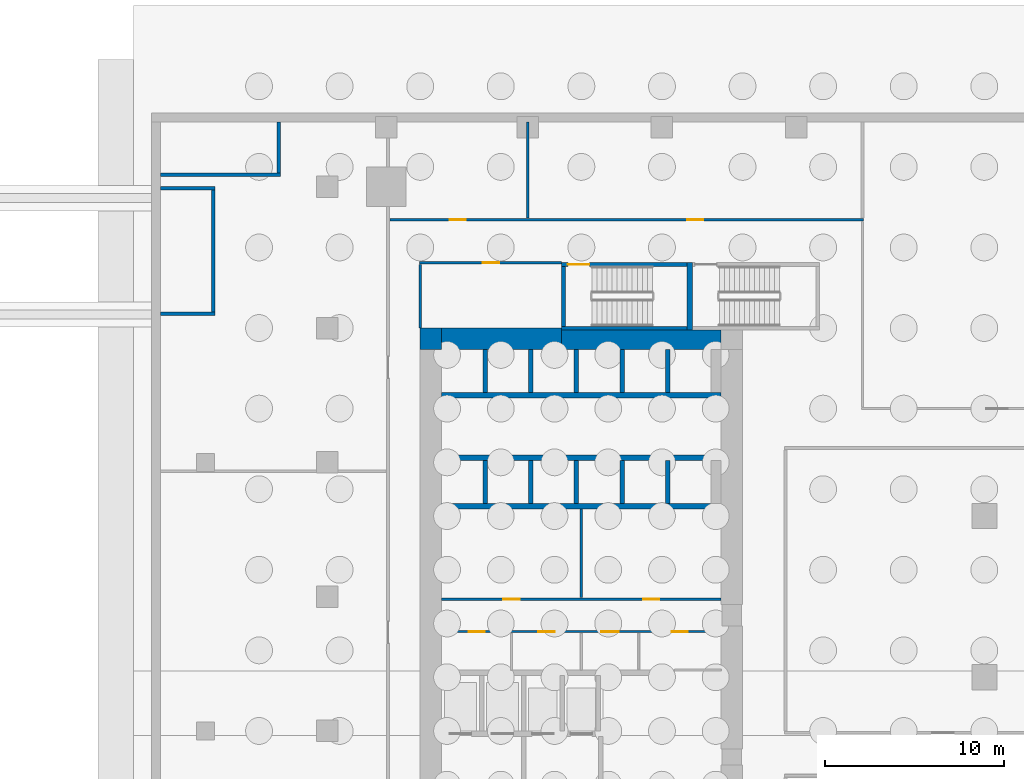
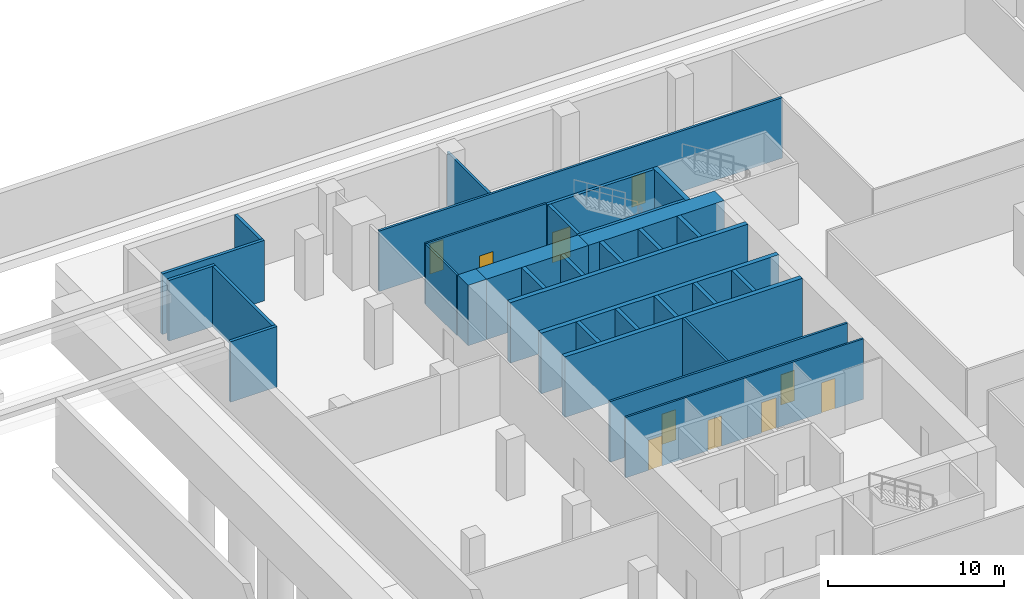
# One storey, part 4 of 10: 32 walls, 10 doors, 10 openings.
"""IFC4 building model written with IfcOpenShell, lengths in metres."""

from ifc_helpers import new_model, si_unit, direction, frame, frame_2d, origin, place, context, subcontext, project, spatial, rectangle, extrude, source, transform, mapped, material, layer, layer_set, type_object, element, fill, save


model = new_model("IFC4")

# Units and contexts
model_context = context("Model", 3, precision=1e-05, world=origin(), true_north=direction((0.0, 1.0)))
body_context = subcontext(model_context, "Body", "Model", "MODEL_VIEW")
ifc_project = project(units=[si_unit("LENGTHUNIT", "METRE"), si_unit("AREAUNIT", "SQUARE_METRE"), si_unit("VOLUMEUNIT", "CUBIC_METRE"), si_unit("PLANEANGLEUNIT", "RADIAN"), si_unit("MASSUNIT", "GRAM", prefix="KILO")], contexts=[model_context])

# Site, building, storey
site_placement = place(None, origin())
site = spatial("IfcSite", under=ifc_project, at=site_placement, CompositionType="ELEMENT")
building_placement = place(site_placement, origin())
building = spatial("IfcBuilding", under=site, at=building_placement, Name="Khomas Fold Tower", CompositionType="ELEMENT")
storey_placement = place(building_placement, frame((0.0, 0.0, -9.0)))
storey = spatial("IfcBuildingStorey", under=building, at=storey_placement, Name="B2", CompositionType="ELEMENT", Elevation=-9.0)

# Walls
ifc_material_1 = material(Name="Concrete C70/85", Category="concrete")
ifc_layer_1 = layer(ifc_material_1, 1.199951171875)
ifc_layer_set_1 = layer_set([ifc_layer_1], Name="Concrete C70/85")
wall_type_1 = type_object("IfcWallType", Name="Core wall 1200", PredefinedType="SHEAR", material=ifc_layer_set_1)
shared_shape_1 = source(origin(), body_context, "Body", "SweptSolid", [
    extrude(rectangle(XDim=6.699951171875, YDim=1.199951171875, at=frame_2d((3.35009765625, 0.0))), origin(), (0.0, 0.0, 1.0), 4.199951171875),
])
wall_1_placement = place(storey_placement, frame((7.199951171875, 41.39990234375, 0.0), z_axis=(0.0, 0.0, 1.0), x_axis=(1.0, 0.0, 0.0)))
element("IfcWall", 1, at=wall_1_placement, inside=storey, type_object=wall_type_1, Name="Core wall CW-L-N-B2", PredefinedType="SHEAR", context=body_context, shape_type="MappedRepresentation", body=[
    mapped(shared_shape_1, transform((0.0, 0.0, 0.0))),
])
ifc_material_2 = material(Name="Concrete C70/85", Category="concrete")
ifc_layer_2 = layer(ifc_material_2, 1.10009765625)
ifc_layer_set_2 = layer_set([ifc_layer_2], Name="Concrete C70/85")
wall_type_2 = type_object("IfcWallType", Name="Core wall 1100", PredefinedType="SHEAR", material=ifc_layer_set_2)
shared_shape_2 = source(origin(), body_context, "Body", "SweptSolid", [
    extrude(rectangle(XDim=8.900146484375, YDim=1.10009765625, at=frame_2d((4.4501953125, 0.0))), origin(), (0.0, 0.0, 1.0), 4.199951171875),
])
wall_2_placement = place(storey_placement, frame((13.89990234375, 41.35009765625, 0.0), z_axis=(0.0, 0.0, 1.0), x_axis=(1.0, 0.0, 0.0)))
element("IfcWall", 2, at=wall_2_placement, inside=storey, type_object=wall_type_2, Name="Core wall CW-L-N-B2-1", PredefinedType="SHEAR", context=body_context, shape_type="MappedRepresentation", body=[
    mapped(shared_shape_2, transform((0.0, 0.0, 0.0))),
])
ifc_material_3 = material(Name="Concrete C70/85", Category="concrete")
ifc_layer_3 = layer(ifc_material_3, 1.199951171875)
ifc_layer_set_3 = layer_set([ifc_layer_3], Name="Concrete C70/85")
wall_type_3 = type_object("IfcWallType", Name="Core corner wall 1200", PredefinedType="SHEAR", material=ifc_layer_set_3)
shared_shape_3 = source(origin(), body_context, "Body", "SweptSolid", [
    extrude(rectangle(XDim=1.199951171875, YDim=1.199951171875, at=frame_2d((0.60009765625, 0.0))), origin(), (0.0, 0.0, 1.0), 4.199951171875),
])
wall_3_placement = place(storey_placement, frame((6.0, 41.39990234375, 0.0), z_axis=(0.0, 0.0, 1.0), x_axis=(1.0, 0.0, 0.0)))
element("IfcWall", 3, at=wall_3_placement, inside=storey, type_object=wall_type_3, Name="Core wall CW-L-NW-B2", PredefinedType="SHEAR", context=body_context, shape_type="MappedRepresentation", body=[
    mapped(shared_shape_3, transform((0.0, 0.0, 0.0))),
])

# Wall, opening, door
ifc_material_4 = material(Name="Concrete C50/60", Category="concrete")
ifc_layer_4 = layer(ifc_material_4, 0.199951171875)
ifc_layer_set_4 = layer_set([ifc_layer_4], Name="Concrete C50/60")
wall_type_4 = type_object("IfcWallType", Name="Stair wall 200", PredefinedType="SHEAR", material=ifc_layer_set_4)
shared_shape_4 = source(origin(), body_context, "Body", "SweptSolid", [
    extrude(rectangle(XDim=7.0, YDim=0.199951171875, at=frame_2d((3.5, 0.0))), origin(), (0.0, 0.0, 1.0), 4.199951171875),
])
wall_4_placement = place(storey_placement, frame((13.89990234375, 45.550048828125, 0.0), z_axis=(0.0, 0.0, 1.0), x_axis=(1.0, 0.0, 0.0)))
wall_4 = element("IfcWall", 4, at=wall_4_placement, inside=storey, type_object=wall_type_4, Name="Stair wall SW-ST1-N", PredefinedType="SHEAR", context=body_context, shape_type="MappedRepresentation", body=[
    mapped(shared_shape_4, transform((0.0, 0.0, 0.0))),
])
shared_shape_5 = source(origin(), body_context, "Body", "SweptSolid", [
    extrude(rectangle(XDim=1.199951171875, YDim=2.10009765625, at=frame_2d((0.60009765625, 1.050048828125))), frame((0.0, 0.10986328125, 0.0), z_axis=(0.0, -1.0, 0.0), x_axis=(1.0, 0.0, 0.0)), (0.0, 0.0, 1.0), 0.219970703125),
])
opening_1_placement = place(wall_4_placement, frame((0.35009765625, 0.0, 0.0)))
opening_1 = element("IfcOpeningElement", 5, at=opening_1_placement, cuts=wall_4, Name="Opening SD-ST1", PredefinedType="OPENING", context=body_context, shape_type="MappedRepresentation", body=[
    mapped(shared_shape_5, transform((0.0, 0.0, 0.0))),
])
ifc_material_5 = material(Name="Steel door leaf", Category="steel")
door_type_1 = type_object("IfcDoorType", Name="Stair door 1200x2100 left-hand", OperationType="SINGLE_SWING_LEFT", PredefinedType="DOOR", material=ifc_material_5)
shared_shape_6 = source(origin(), body_context, "Body", "SweptSolid", [
    extrude(rectangle(XDim=1.199951171875, YDim=2.10009765625, at=frame_2d((0.60009765625, 1.050048828125))), frame((0.0, 0.02490234375, 0.0), z_axis=(0.0, -1.0, 0.0), x_axis=(1.0, 0.0, 0.0)), (0.0, 0.0, 1.0), 0.050048828125),
])
door_1_placement = place(opening_1_placement, origin())
door_1 = element("IfcDoor", 6, at=door_1_placement, inside=storey, type_object=door_type_1, Name="Stair door", OperationType="SINGLE_SWING_LEFT", OverallHeight=2.10009765625, OverallWidth=1.199951171875, PredefinedType="DOOR", context=body_context, shape_type="MappedRepresentation", body=[
    mapped(shared_shape_6, transform((0.0, 0.0, 0.0))),
])
fill(opening_1, door_1)

# Walls
wall_5_placement = place(storey_placement, frame((13.89990234375, 42.0, 0.0), z_axis=(0.0, 0.0, 1.0), x_axis=(1.0, 0.0, 0.0)))
element("IfcWall", 7, at=wall_5_placement, inside=storey, type_object=wall_type_4, Name="Stair wall SW-ST1-S", PredefinedType="SHEAR", context=body_context, shape_type="MappedRepresentation", body=[
    mapped(shared_shape_4, transform((0.0, 0.0, 0.0))),
])
ifc_material_6 = material(Name="Concrete C50/60", Category="concrete")
ifc_layer_5 = layer(ifc_material_6, 0.300048828125)
ifc_layer_set_5 = layer_set([ifc_layer_5], Name="Concrete C50/60")
wall_type_5 = type_object("IfcWallType", Name="Stair wall 300", PredefinedType="SHEAR", material=ifc_layer_set_5)
shared_shape_7 = source(origin(), body_context, "Body", "SweptSolid", [
    extrude(rectangle(XDim=3.75, YDim=0.300048828125, at=frame_2d((1.875, 0.0))), origin(), (0.0, 0.0, 1.0), 4.199951171875),
])
wall_6_placement = place(storey_placement, frame((21.050048828125, 41.89990234375, 0.0), z_axis=(0.0, 0.0, 1.0), x_axis=(0.0, 1.0, 0.0)))
element("IfcWall", 8, at=wall_6_placement, inside=storey, type_object=wall_type_5, Name="Stair wall SW-ST1-E", PredefinedType="SHEAR", context=body_context, shape_type="MappedRepresentation", body=[
    mapped(shared_shape_7, transform((0.0, 0.0, 0.0))),
])
shared_shape_8 = source(origin(), body_context, "Body", "SweptSolid", [
    extrude(rectangle(XDim=3.349853515625, YDim=0.199951171875, at=frame_2d((1.6748046875, 0.0))), origin(), (0.0, 0.0, 1.0), 4.199951171875),
])
wall_7_placement = place(storey_placement, frame((14.0, 42.10009765625, 0.0), z_axis=(0.0, 0.0, 1.0), x_axis=(0.0, 1.0, 0.0)))
element("IfcWall", 9, at=wall_7_placement, inside=storey, type_object=wall_type_4, Name="Stair wall SW-ST1-W", PredefinedType="SHEAR", context=body_context, shape_type="MappedRepresentation", body=[
    mapped(shared_shape_8, transform((0.0, 0.0, 0.0))),
])
ifc_material_7 = material(Name="Concrete C50/60", Category="concrete")
ifc_layer_6 = layer(ifc_material_7, 0.300048828125)
ifc_layer_set_6 = layer_set([ifc_layer_6], Name="Concrete C50/60")
wall_type_6 = type_object("IfcWallType", Name="Shaft wall 300", PredefinedType="STANDARD", material=ifc_layer_set_6)
shared_shape_9 = source(origin(), body_context, "Body", "SweptSolid", [
    extrude(rectangle(XDim=15.60009765625, YDim=0.300048828125, at=frame_2d((7.800048828125, 0.0))), origin(), (0.0, 0.0, 1.0), 4.199951171875),
])
for number, where, z_axis, x_axis, name in (
    (10, (7.199951171875, 32.050048828125, 0.0), (0.0, 0.0, 1.0), (1.0, 0.0, 0.0), "Core wall SW-HRN-B"),
    (11, (7.199951171875, 38.25, 0.0), (0.0, 0.0, 1.0), (1.0, 0.0, 0.0), "Core wall SW-LRN-F"),
    (12, (7.199951171875, 34.75, 0.0), (0.0, 0.0, 1.0), (1.0, 0.0, 0.0), "Core wall SW-LRS-F"),
):
    element("IfcWall", number, at=place(storey_placement, frame(where, z_axis=z_axis, x_axis=x_axis)), inside=storey, type_object=wall_type_6, Name=name, PredefinedType="STANDARD", context=body_context, shape_type="MappedRepresentation", body=[
        mapped(shared_shape_9, transform((0.0, 0.0, 0.0))),
    ])
ifc_material_8 = material(Name="Concrete C50/60", Category="concrete")
ifc_layer_7 = layer(ifc_material_8, 0.25)
ifc_layer_set_7 = layer_set([ifc_layer_7], Name="Concrete C50/60")
wall_type_7 = type_object("IfcWallType", Name="Shaft wall 250", PredefinedType="STANDARD", material=ifc_layer_set_7)
shared_shape_10 = source(origin(), body_context, "Body", "SweptSolid", [
    extrude(rectangle(XDim=2.400146484375, YDim=0.25, at=frame_2d((1.2001953125, 0.0))), origin(), (0.0, 0.0, 1.0), 4.199951171875),
])
for number, where, z_axis, x_axis, name in (
    (13, (9.625, 38.39990234375, 0.0), (0.0, 0.0, 1.0), (0.0, 1.0, 0.0), "Core wall SW-LRN-P1"),
    (14, (12.175048828125, 38.39990234375, 0.0), (0.0, 0.0, 1.0), (0.0, 1.0, 0.0), "Core wall SW-LRN-P2"),
    (15, (14.72509765625, 38.39990234375, 0.0), (0.0, 0.0, 1.0), (0.0, 1.0, 0.0), "Core wall SW-LRN-P3"),
    (16, (17.27490234375, 38.39990234375, 0.0), (0.0, 0.0, 1.0), (0.0, 1.0, 0.0), "Core wall SW-LRN-P4"),
    (17, (19.824951171875, 38.39990234375, 0.0), (0.0, 0.0, 1.0), (0.0, 1.0, 0.0), "Core wall SW-LRN-P5"),
    (18, (9.625, 32.199951171875, 0.0), (0.0, 0.0, 1.0), (0.0, 1.0, 0.0), "Core wall SW-LRS-P1"),
    (19, (12.175048828125, 32.199951171875, 0.0), (0.0, 0.0, 1.0), (0.0, 1.0, 0.0), "Core wall SW-LRS-P2"),
    (20, (14.72509765625, 32.199951171875, 0.0), (0.0, 0.0, 1.0), (0.0, 1.0, 0.0), "Core wall SW-LRS-P3"),
    (21, (17.27490234375, 32.199951171875, 0.0), (0.0, 0.0, 1.0), (0.0, 1.0, 0.0), "Core wall SW-LRS-P4"),
    (22, (19.824951171875, 32.199951171875, 0.0), (0.0, 0.0, 1.0), (0.0, 1.0, 0.0), "Core wall SW-LRS-P5"),
):
    element("IfcWall", number, at=place(storey_placement, frame(where, z_axis=z_axis, x_axis=x_axis)), inside=storey, type_object=wall_type_7, Name=name, PredefinedType="STANDARD", context=body_context, shape_type="MappedRepresentation", body=[
        mapped(shared_shape_10, transform((0.0, 0.0, 0.0))),
    ])

# Wall, openings, doors
ifc_material_9 = material(Name="Plasterboard partition")
ifc_layer_8 = layer(ifc_material_9, 0.125)
ifc_layer_set_8 = layer_set([ifc_layer_8], Name="Plasterboard partition")
wall_type_8 = type_object("IfcWallType", Name="Partition PW2 125", PredefinedType="PARTITIONING", material=ifc_layer_set_8)
shared_shape_11 = source(origin(), body_context, "Body", "SweptSolid", [
    extrude(rectangle(XDim=15.60009765625, YDim=0.125, at=frame_2d((7.800048828125, 0.0))), origin(), (0.0, 0.0, 1.0), 4.199951171875),
])
wall_8_placement = place(storey_placement, frame((7.199951171875, 25.050048828125, 0.0), z_axis=(0.0, 0.0, 1.0), x_axis=(1.0, 0.0, 0.0)))
wall_8 = element("IfcWall", 23, at=wall_8_placement, inside=storey, type_object=wall_type_8, Name="Partition", PredefinedType="PARTITIONING", context=body_context, shape_type="MappedRepresentation", body=[
    mapped(shared_shape_11, transform((0.0, 0.0, 0.0))),
])
shared_shape_12 = source(origin(), body_context, "Body", "SweptSolid", [
    extrude(rectangle(XDim=0.89990234375, YDim=2.10009765625, at=frame_2d((0.449951171875, 1.050048828125))), frame((0.0, 0.072509765625, 0.0), z_axis=(0.0, -1.0, 0.0), x_axis=(1.0, 0.0, 0.0)), (0.0, 0.0, 1.0), 0.14501953125),
])
opening_2_placement = place(wall_8_placement, frame((1.5, 0.0, 0.0)))
opening_2 = element("IfcOpeningElement", 24, at=opening_2_placement, cuts=wall_8, Name="Opening 0004", PredefinedType="OPENING", context=body_context, shape_type="MappedRepresentation", body=[
    mapped(shared_shape_12, transform((0.0, 0.0, 0.0))),
])
opening_3_placement = place(wall_8_placement, frame((5.39990234375, 0.0, 0.0)))
opening_3 = element("IfcOpeningElement", 25, at=opening_3_placement, cuts=wall_8, Name="Opening 0005", PredefinedType="OPENING", context=body_context, shape_type="MappedRepresentation", body=[
    mapped(shared_shape_12, transform((0.0, 0.0, 0.0))),
])
shared_shape_13 = source(origin(), body_context, "Body", "SweptSolid", [
    extrude(rectangle(XDim=1.0, YDim=2.10009765625, at=frame_2d((0.5, 1.050048828125))), frame((0.0, 0.072509765625, 0.0), z_axis=(0.0, -1.0, 0.0), x_axis=(1.0, 0.0, 0.0)), (0.0, 0.0, 1.0), 0.14501953125),
])
opening_4_placement = place(wall_8_placement, frame((8.89990234375, 0.0, 0.0)))
opening_4 = element("IfcOpeningElement", 26, at=opening_4_placement, cuts=wall_8, Name="Opening 0006", PredefinedType="OPENING", context=body_context, shape_type="MappedRepresentation", body=[
    mapped(shared_shape_13, transform((0.0, 0.0, 0.0))),
])
opening_5_placement = place(wall_8_placement, frame((12.85009765625, 0.0, 0.0)))
opening_5 = element("IfcOpeningElement", 27, at=opening_5_placement, cuts=wall_8, Name="Opening 0007", PredefinedType="OPENING", context=body_context, shape_type="MappedRepresentation", body=[
    mapped(shared_shape_12, transform((0.0, 0.0, 0.0))),
])
ifc_material_10 = material(Name="Timber door leaf", Category="wood")
door_type_2 = type_object("IfcDoorType", Name="WC door 900x2100 right-hand", OperationType="SINGLE_SWING_RIGHT", PredefinedType="DOOR", material=ifc_material_10)
shared_shape_14 = source(origin(), body_context, "Body", "SweptSolid", [
    extrude(rectangle(XDim=0.89990234375, YDim=2.10009765625, at=frame_2d((0.449951171875, 1.050048828125))), frame((0.0, 0.02490234375, 0.0), z_axis=(0.0, -1.0, 0.0), x_axis=(1.0, 0.0, 0.0)), (0.0, 0.0, 1.0), 0.050048828125),
])
door_2_placement = place(opening_2_placement, origin())
door_2 = element("IfcDoor", 28, at=door_2_placement, inside=storey, type_object=door_type_2, Name="WC door", OperationType="SINGLE_SWING_RIGHT", OverallHeight=2.10009765625, OverallWidth=0.89990234375, PredefinedType="DOOR", context=body_context, shape_type="MappedRepresentation", body=[
    mapped(shared_shape_14, transform((0.0, 0.0, 0.0))),
])
fill(opening_2, door_2)
ifc_material_11 = material(Name="Timber door leaf", Category="wood")
door_type_3 = type_object("IfcDoorType", Name="WC door 900x2100 left-hand", OperationType="SINGLE_SWING_LEFT", PredefinedType="DOOR", material=ifc_material_11)
door_3_placement = place(opening_3_placement, origin())
door_3 = element("IfcDoor", 29, at=door_3_placement, inside=storey, type_object=door_type_3, Name="WC door", OperationType="SINGLE_SWING_LEFT", OverallHeight=2.10009765625, OverallWidth=0.89990234375, PredefinedType="DOOR", context=body_context, shape_type="MappedRepresentation", body=[
    mapped(shared_shape_14, transform((0.0, 0.0, 0.0))),
])
fill(opening_3, door_3)
ifc_material_12 = material(Name="Timber door leaf", Category="wood")
door_type_4 = type_object("IfcDoorType", Name="Door 900x2100 left-hand", OperationType="SINGLE_SWING_LEFT", PredefinedType="DOOR", material=ifc_material_12)
door_4_placement = place(opening_5_placement, origin())
door_4 = element("IfcDoor", 30, at=door_4_placement, inside=storey, type_object=door_type_4, Name="Door", OperationType="SINGLE_SWING_LEFT", OverallHeight=2.10009765625, OverallWidth=0.89990234375, PredefinedType="DOOR", context=body_context, shape_type="MappedRepresentation", body=[
    mapped(shared_shape_14, transform((0.0, 0.0, 0.0))),
])
fill(opening_5, door_4)
ifc_material_13 = material(Name="Timber door leaf", Category="wood")
door_type_5 = type_object("IfcDoorType", Name="WC door 1000x2100 right-hand", OperationType="SINGLE_SWING_RIGHT", PredefinedType="DOOR", material=ifc_material_13)
shared_shape_15 = source(origin(), body_context, "Body", "SweptSolid", [
    extrude(rectangle(XDim=1.0, YDim=2.10009765625, at=frame_2d((0.5, 1.050048828125))), frame((0.0, 0.02490234375, 0.0), z_axis=(0.0, -1.0, 0.0), x_axis=(1.0, 0.0, 0.0)), (0.0, 0.0, 1.0), 0.050048828125),
])
door_5_placement = place(opening_4_placement, origin())
door_5 = element("IfcDoor", 31, at=door_5_placement, inside=storey, type_object=door_type_5, Name="WC door", OperationType="SINGLE_SWING_RIGHT", OverallHeight=2.10009765625, OverallWidth=1.0, PredefinedType="DOOR", context=body_context, shape_type="MappedRepresentation", body=[
    mapped(shared_shape_15, transform((0.0, 0.0, 0.0))),
])
fill(opening_4, door_5)

ifc_material_14 = material(Name="Plasterboard fire partition")
ifc_layer_9 = layer(ifc_material_14, 0.14990234375)
ifc_layer_set_9 = layer_set([ifc_layer_9], Name="Plasterboard fire partition")
wall_type_9 = type_object("IfcWallType", Name="Plant room wall PW3 150", PredefinedType="PARTITIONING", material=ifc_layer_set_9)
shared_shape_16 = source(origin(), body_context, "Body", "SweptSolid", [
    extrude(rectangle(XDim=15.60009765625, YDim=0.14990234375, at=frame_2d((7.800048828125, 0.0))), origin(), (0.0, 0.0, 1.0), 4.199951171875),
])
wall_9_placement = place(storey_placement, frame((7.199951171875, 26.85009765625, 0.0), z_axis=(0.0, 0.0, 1.0), x_axis=(1.0, 0.0, 0.0)))
wall_9 = element("IfcWall", 32, at=wall_9_placement, inside=storey, type_object=wall_type_9, Name="Plant room wall", PredefinedType="PARTITIONING", context=body_context, shape_type="MappedRepresentation", body=[
    mapped(shared_shape_16, transform((0.0, 0.0, 0.0))),
])
shared_shape_17 = source(origin(), body_context, "Body", "SweptSolid", [
    extrude(rectangle(XDim=0.89990234375, YDim=2.10009765625, at=frame_2d((0.449951171875, 1.050048828125))), frame((0.0, 0.0849609375, 0.0), z_axis=(0.0, -1.0, 0.0), x_axis=(1.0, 0.0, 0.0)), (0.0, 0.0, 1.0), 0.169921875),
])
opening_6_placement = place(wall_9_placement, frame((3.449951171875, 0.0, 0.0)))
opening_6 = element("IfcOpeningElement", 33, at=opening_6_placement, cuts=wall_9, Name="Opening 0002", PredefinedType="OPENING", context=body_context, shape_type="MappedRepresentation", body=[
    mapped(shared_shape_17, transform((0.0, 0.0, 0.0))),
])
opening_7_placement = place(wall_9_placement, frame((11.25, 0.0, 0.0)))
opening_7 = element("IfcOpeningElement", 34, at=opening_7_placement, cuts=wall_9, Name="Opening 0003", PredefinedType="OPENING", context=body_context, shape_type="MappedRepresentation", body=[
    mapped(shared_shape_17, transform((0.0, 0.0, 0.0))),
])
ifc_material_15 = material(Name="Steel door leaf", Category="steel")
door_type_6 = type_object("IfcDoorType", Name="Plant room door 900x2100 left-hand", OperationType="SINGLE_SWING_LEFT", PredefinedType="DOOR", material=ifc_material_15)
door_6_placement = place(opening_6_placement, origin())
door_6 = element("IfcDoor", 35, at=door_6_placement, inside=storey, type_object=door_type_6, Name="Plant room door", OperationType="SINGLE_SWING_LEFT", OverallHeight=2.10009765625, OverallWidth=0.89990234375, PredefinedType="DOOR", context=body_context, shape_type="MappedRepresentation", body=[
    mapped(shared_shape_14, transform((0.0, 0.0, 0.0))),
])
fill(opening_6, door_6)
ifc_material_16 = material(Name="Steel door leaf", Category="steel")
door_type_7 = type_object("IfcDoorType", Name="Plant room door 900x2100 right-hand", OperationType="SINGLE_SWING_RIGHT", PredefinedType="DOOR", material=ifc_material_16)
door_7_placement = place(opening_7_placement, origin())
door_7 = element("IfcDoor", 36, at=door_7_placement, inside=storey, type_object=door_type_7, Name="Plant room door", OperationType="SINGLE_SWING_RIGHT", OverallHeight=2.10009765625, OverallWidth=0.89990234375, PredefinedType="DOOR", context=body_context, shape_type="MappedRepresentation", body=[
    mapped(shared_shape_14, transform((0.0, 0.0, 0.0))),
])
fill(opening_7, door_7)

# Walls
shared_shape_18 = source(origin(), body_context, "Body", "SweptSolid", [
    extrude(rectangle(XDim=4.949951171875, YDim=0.14990234375, at=frame_2d((2.47509765625, 0.0))), origin(), (0.0, 0.0, 1.0), 4.199951171875),
])
wall_10_placement = place(storey_placement, frame((15.0, 26.949951171875, 0.0), z_axis=(0.0, 0.0, 1.0), x_axis=(0.0, 1.0, 0.0)))
element("IfcWall", 37, at=wall_10_placement, inside=storey, type_object=wall_type_9, Name="Plant room wall", PredefinedType="PARTITIONING", context=body_context, shape_type="MappedRepresentation", body=[
    mapped(shared_shape_18, transform((0.0, 0.0, 0.0))),
])
shared_shape_19 = source(origin(), body_context, "Body", "SweptSolid", [
    extrude(rectangle(XDim=3.550048828125, YDim=0.125, at=frame_2d((1.77490234375, 0.0))), origin(), (0.0, 0.0, 1.0), 4.199951171875),
])
wall_11_placement = place(storey_placement, frame((6.0, 42.0, 0.0), z_axis=(0.0, 0.0, 1.0), x_axis=(0.0, 1.0, 0.0)))
element("IfcWall", 38, at=wall_11_placement, inside=storey, type_object=wall_type_8, Name="Partition", PredefinedType="PARTITIONING", context=body_context, shape_type="MappedRepresentation", body=[
    mapped(shared_shape_19, transform((0.0, 0.0, 0.0))),
])

# Wall, opening, door
shared_shape_20 = source(origin(), body_context, "Body", "SweptSolid", [
    extrude(rectangle(XDim=7.949951171875, YDim=0.125, at=frame_2d((3.97509765625, 0.0))), origin(), (0.0, 0.0, 1.0), 4.199951171875),
])
wall_12_placement = place(storey_placement, frame((5.949951171875, 45.64990234375, 0.0), z_axis=(0.0, 0.0, 1.0), x_axis=(1.0, 0.0, 0.0)))
wall_12 = element("IfcWall", 39, at=wall_12_placement, inside=storey, type_object=wall_type_8, Name="Partition", PredefinedType="PARTITIONING", context=body_context, shape_type="MappedRepresentation", body=[
    mapped(shared_shape_20, transform((0.0, 0.0, 0.0))),
])
opening_8_placement = place(wall_12_placement, frame((3.550048828125, 0.0, 0.0)))
opening_8 = element("IfcOpeningElement", 40, at=opening_8_placement, cuts=wall_12, Name="Opening 0008", PredefinedType="OPENING", context=body_context, shape_type="MappedRepresentation", body=[
    mapped(shared_shape_12, transform((0.0, 0.0, 0.0))),
])
ifc_material_17 = material(Name="Timber door leaf", Category="wood")
door_type_8 = type_object("IfcDoorType", Name="Door 900x2100 right-hand", OperationType="SINGLE_SWING_RIGHT", PredefinedType="DOOR", material=ifc_material_17)
door_8_placement = place(opening_8_placement, origin())
door_8 = element("IfcDoor", 41, at=door_8_placement, inside=storey, type_object=door_type_8, Name="Door", OperationType="SINGLE_SWING_RIGHT", OverallHeight=2.10009765625, OverallWidth=0.89990234375, PredefinedType="DOOR", context=body_context, shape_type="MappedRepresentation", body=[
    mapped(shared_shape_14, transform((0.0, 0.0, 0.0))),
])
fill(opening_8, door_8)

# Wall, openings, doors
shared_shape_21 = source(origin(), body_context, "Body", "SweptSolid", [
    extrude(rectangle(XDim=26.449951171875, YDim=0.14990234375, at=frame_2d((13.22509765625, 0.0))), origin(), (0.0, 0.0, 1.0), 4.199951171875),
])
wall_13_placement = place(storey_placement, frame((4.300048828125, 48.050048828125, 0.0), z_axis=(0.0, 0.0, 1.0), x_axis=(1.0, 0.0, 0.0)))
wall_13 = element("IfcWall", 42, at=wall_13_placement, inside=storey, type_object=wall_type_9, Name="Plant room wall", PredefinedType="PARTITIONING", context=body_context, shape_type="MappedRepresentation", body=[
    mapped(shared_shape_21, transform((0.0, 0.0, 0.0))),
])
opening_9_placement = place(wall_13_placement, frame((3.35009765625, 0.0, 0.0)))
opening_9 = element("IfcOpeningElement", 43, at=opening_9_placement, cuts=wall_13, Name="Opening 0003", PredefinedType="OPENING", context=body_context, shape_type="MappedRepresentation", body=[
    mapped(shared_shape_17, transform((0.0, 0.0, 0.0))),
])
opening_10_placement = place(wall_13_placement, frame((16.60009765625, 0.0, 0.0)))
opening_10 = element("IfcOpeningElement", 44, at=opening_10_placement, cuts=wall_13, Name="Opening 0003", PredefinedType="OPENING", context=body_context, shape_type="MappedRepresentation", body=[
    mapped(shared_shape_17, transform((0.0, 0.0, 0.0))),
])
door_9_placement = place(opening_9_placement, origin())
door_9 = element("IfcDoor", 45, at=door_9_placement, inside=storey, type_object=door_type_7, Name="Plant room door", OperationType="SINGLE_SWING_RIGHT", OverallHeight=2.10009765625, OverallWidth=0.89990234375, PredefinedType="DOOR", context=body_context, shape_type="MappedRepresentation", body=[
    mapped(shared_shape_14, transform((0.0, 0.0, 0.0))),
])
fill(opening_9, door_9)
door_10_placement = place(opening_10_placement, origin())
door_10 = element("IfcDoor", 46, at=door_10_placement, inside=storey, type_object=door_type_7, Name="Plant room door", OperationType="SINGLE_SWING_RIGHT", OverallHeight=2.10009765625, OverallWidth=0.89990234375, PredefinedType="DOOR", context=body_context, shape_type="MappedRepresentation", body=[
    mapped(shared_shape_14, transform((0.0, 0.0, 0.0))),
])
fill(opening_10, door_10)

# Walls
shared_shape_22 = source(origin(), body_context, "Body", "SweptSolid", [
    extrude(rectangle(XDim=5.35009765625, YDim=0.14990234375, at=frame_2d((2.675048828125, 0.0))), origin(), (0.0, 0.0, 1.0), 3.699951171875),
])
wall_14_placement = place(storey_placement, frame((12.0, 48.14990234375, 0.0), z_axis=(0.0, 0.0, 1.0), x_axis=(0.0, 1.0, 0.0)))
element("IfcWall", 47, at=wall_14_placement, inside=storey, type_object=wall_type_9, Name="Plant room wall", PredefinedType="PARTITIONING", context=body_context, shape_type="MappedRepresentation", body=[
    mapped(shared_shape_22, transform((0.0, 0.0, 0.0))),
])
ifc_material_18 = material(Name="Concrete C30/37", Category="concrete")
ifc_layer_10 = layer(ifc_material_18, 0.199951171875)
ifc_layer_set_10 = layer_set([ifc_layer_10], Name="Concrete C30/37")
wall_type_10 = type_object("IfcWallType", Name="Stair wall PW5 200", PredefinedType="PARTITIONING", material=ifc_layer_set_10)
shared_shape_23 = source(origin(), body_context, "Body", "SweptSolid", [
    extrude(rectangle(XDim=6.699951171875, YDim=0.199951171875, at=frame_2d((3.35009765625, 0.0))), origin(), (0.0, 0.0, 1.0), 4.199951171875),
])
wall_15_placement = place(storey_placement, frame((-8.5, 50.550048828125, 0.0), z_axis=(0.0, 0.0, 1.0), x_axis=(1.0, 0.0, 0.0)))
element("IfcWall", 48, at=wall_15_placement, inside=storey, type_object=wall_type_10, Name="Stair wall", PredefinedType="PARTITIONING", context=body_context, shape_type="MappedRepresentation", body=[
    mapped(shared_shape_23, transform((0.0, 0.0, 0.0))),
])
shared_shape_24 = source(origin(), body_context, "Body", "SweptSolid", [
    extrude(rectangle(XDim=2.85009765625, YDim=0.199951171875, at=frame_2d((1.425048828125, 0.0))), origin(), (0.0, 0.0, 1.0), 4.199951171875),
])
wall_16_placement = place(storey_placement, frame((-1.89990234375, 50.64990234375, 0.0), z_axis=(0.0, 0.0, 1.0), x_axis=(0.0, 1.0, 0.0)))
element("IfcWall", 49, at=wall_16_placement, inside=storey, type_object=wall_type_10, Name="Stair wall", PredefinedType="PARTITIONING", context=body_context, shape_type="MappedRepresentation", body=[
    mapped(shared_shape_24, transform((0.0, 0.0, 0.0))),
])
shared_shape_25 = source(origin(), body_context, "Body", "SweptSolid", [
    extrude(rectangle(XDim=3.050048828125, YDim=0.199951171875, at=frame_2d((1.52490234375, 0.0))), origin(), (0.0, 0.0, 1.0), 4.199951171875),
])
for number, where, z_axis, x_axis, name in (
    (50, (-8.5, 42.800048828125, 0.0), (0.0, 0.0, 1.0), (1.0, 0.0, 0.0), "Stair wall"),
    (51, (-8.5, 49.800048828125, 0.0), (0.0, 0.0, 1.0), (1.0, 0.0, 0.0), "Stair wall"),
):
    element("IfcWall", number, at=place(storey_placement, frame(where, z_axis=z_axis, x_axis=x_axis)), inside=storey, type_object=wall_type_10, Name=name, PredefinedType="PARTITIONING", context=body_context, shape_type="MappedRepresentation", body=[
        mapped(shared_shape_25, transform((0.0, 0.0, 0.0))),
    ])
shared_shape_26 = source(origin(), body_context, "Body", "SweptSolid", [
    extrude(rectangle(XDim=6.800048828125, YDim=0.199951171875, at=frame_2d((3.39990234375, 0.0))), origin(), (0.0, 0.0, 1.0), 4.199951171875),
])
wall_17_placement = place(storey_placement, frame((-5.550048828125, 42.89990234375, 0.0), z_axis=(0.0, 0.0, 1.0), x_axis=(0.0, 1.0, 0.0)))
element("IfcWall", 52, at=wall_17_placement, inside=storey, type_object=wall_type_10, Name="Stair wall", PredefinedType="PARTITIONING", context=body_context, shape_type="MappedRepresentation", body=[
    mapped(shared_shape_26, transform((0.0, 0.0, 0.0))),
])

save(model, "model.ifc")
